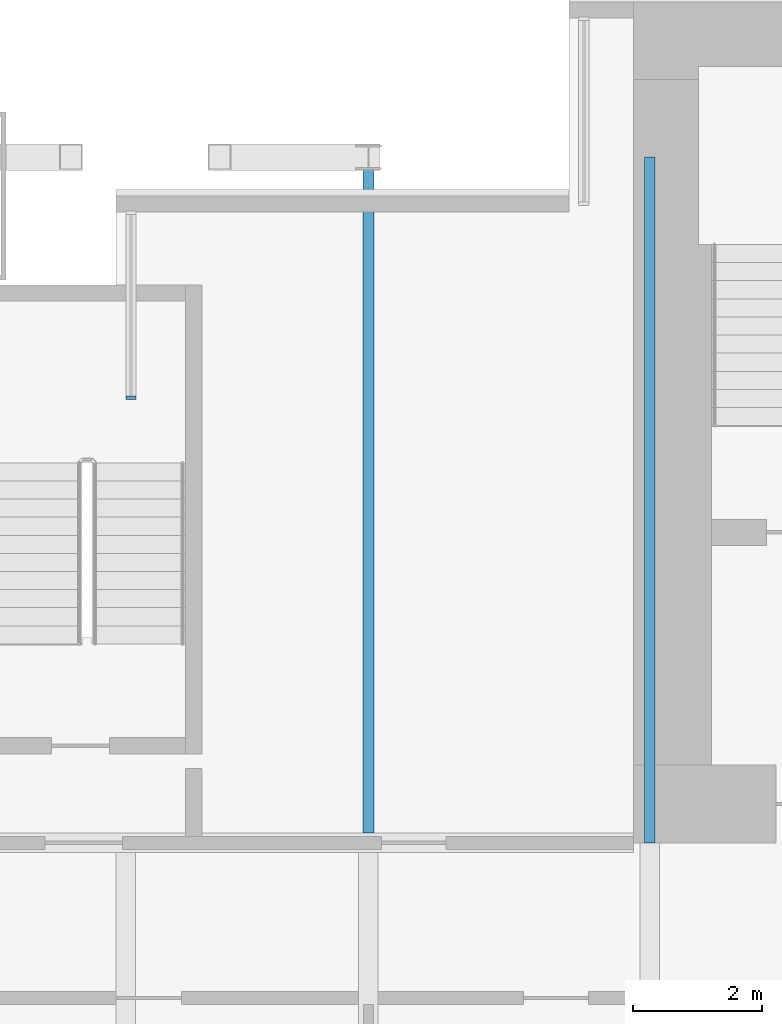
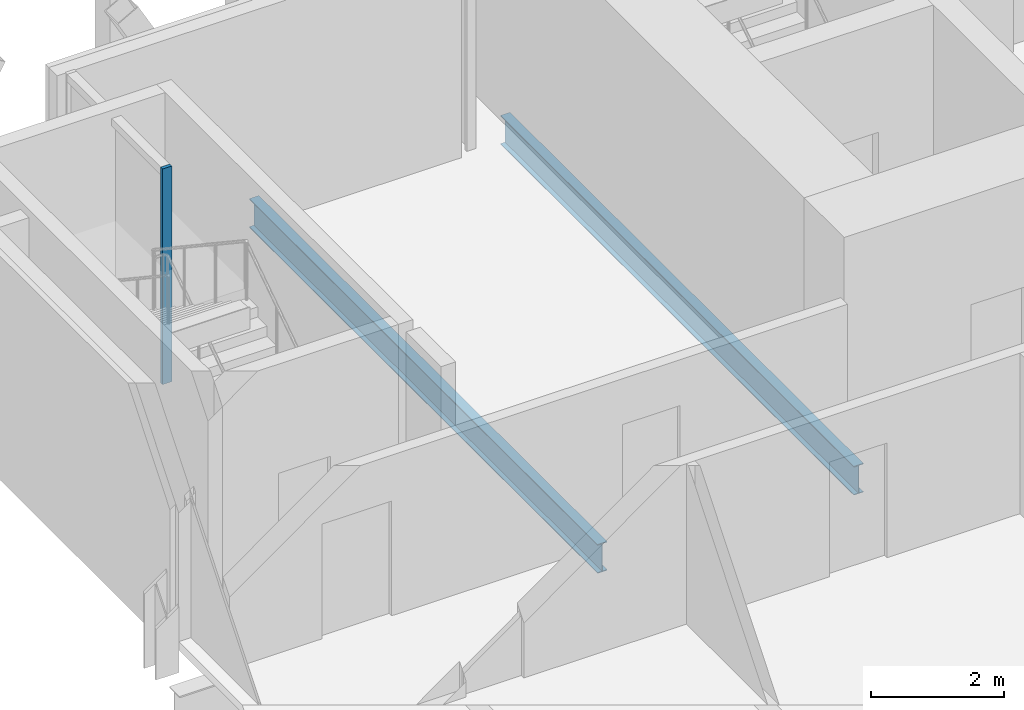
# One storey, part 11 of 33: 2 beams, 1 member, 1 element without a shape of its own.
"""IFC4 building model written with IfcOpenShell, lengths in metres."""

import ifcopenshell
import ifcopenshell.guid

model = None  # the IFC model being written
_history = None  # IfcOwnerHistory: only IFC2X3 demands one
_inside = {}  # id of a spatial element -> (the spatial element, [elements in it])
_under = {}  # id of a project, library or spatial element -> (it, [spatial elements below it])
_declared = {}  # id of a project -> (the project, [libraries it declares])
_typed = {}  # id of a type object -> (the type object, [elements of that type])
_made_of = {}  # id of a material, layer set ... -> (it, [elements and type objects made of it])


def new_model(schema):
    """Start an empty IFC model of exactly this schema.

    Asked for "IFC4X3", IfcOpenShell would pick the latest addendum, in which some entities
    have other attributes; the version numbers below select the first issue.
    IFC2X3 requires an IfcOwnerHistory on every rooted entity: one is made here for all.
    """
    global model, _history
    if schema == "IFC4X3":
        model = ifcopenshell.file(schema_version=(4, 3, 0, 0))
    else:
        model = ifcopenshell.file(schema=schema)
    _inside.clear()
    _under.clear()
    _declared.clear()
    _typed.clear()
    _made_of.clear()
    _history = None
    if model.schema == "IFC2X3":
        org = make("IfcOrganization", Name="unknown")
        user = make(
            "IfcPersonAndOrganization",
            ThePerson=make("IfcPerson", FamilyName="unknown"),
            TheOrganization=org,
        )
        app = make(
            "IfcApplication",
            ApplicationDeveloper=org,
            Version="unknown",
            ApplicationFullName="unknown",
            ApplicationIdentifier="unknown",
        )
        _history = make(
            "IfcOwnerHistory",
            OwningUser=user,
            OwningApplication=app,
            ChangeAction="ADDED",
            CreationDate=0,
        )
    return model


def make(cls, **values):
    """One entity of the class cls with the attributes given. An attribute that is None is left unset."""
    return model.create_entity(
        cls, **{name: value for name, value in values.items() if value is not None}
    )


def rooted(cls, **values):
    """An entity with a GlobalId (a new one), such as an element, a storey or a relation."""
    return make(cls, GlobalId=ifcopenshell.guid.new(), OwnerHistory=_history, **values)


def si_unit(unit_type, name, prefix=None):
    """IfcSIUnit, for example si_unit("LENGTHUNIT", "METRE", prefix="MILLI")."""
    return make("IfcSIUnit", UnitType=unit_type, Prefix=prefix, Name=name)


def assignment(units):
    """IfcUnitAssignment: the units of a project."""
    return None if units is None else make("IfcUnitAssignment", Units=units)


def point(xyz):
    """IfcCartesianPoint."""
    return None if xyz is None else make("IfcCartesianPoint", Coordinates=xyz)


def direction(xyz):
    """IfcDirection."""
    return None if xyz is None else make("IfcDirection", DirectionRatios=xyz)


def frame(location, z_axis=None, x_axis=None):
    """IfcAxis2Placement3D, a coordinate frame: its origin and axes. An axis left out is left unset."""
    return make(
        "IfcAxis2Placement3D",
        Location=point(location),
        Axis=direction(z_axis),
        RefDirection=direction(x_axis),
    )


def frame_2d(location, x_axis=None):
    """IfcAxis2Placement2D, a coordinate frame in the plane: its origin and x axis."""
    return make(
        "IfcAxis2Placement2D", Location=point(location), RefDirection=direction(x_axis)
    )


def origin():
    """The frame at (0, 0, 0) with its axes left unset."""
    return frame((0.0, 0.0, 0.0))


def origin_2d():
    """The frame at (0, 0) in the plane with its x axis left unset."""
    return frame_2d((0.0, 0.0))


def place(relative_to, where):
    """IfcLocalPlacement: puts the frame where relative to a parent placement (None: the world)."""
    return make(
        "IfcLocalPlacement", PlacementRelTo=relative_to, RelativePlacement=where
    )


def context(
    kind, dimensions, precision=None, world=None, true_north=None, identifier=None
):
    """IfcGeometricRepresentationContext, for example the 3D "Model" context."""
    return make(
        "IfcGeometricRepresentationContext",
        ContextIdentifier=identifier,
        ContextType=kind,
        CoordinateSpaceDimension=dimensions,
        Precision=precision,
        WorldCoordinateSystem=world,
        TrueNorth=true_north,
    )


def subcontext(parent, identifier, kind, view, scale=None):
    """IfcGeometricRepresentationSubContext, for example "Body" below "Model"."""
    return make(
        "IfcGeometricRepresentationSubContext",
        ContextIdentifier=identifier,
        ContextType=kind,
        ParentContext=parent,
        TargetScale=scale,
        TargetView=view,
    )


def project(units=None, contexts=None):
    """IfcProject with its units and contexts."""
    return rooted(
        "IfcProject",
        Name="project",
        RepresentationContexts=contexts,
        UnitsInContext=assignment(units),
    )


def spatial(cls, under=None, at=None, **own):
    """A site, building, storey or space (cls), placed at a placement, below another one or the project."""
    s = rooted(cls, ObjectPlacement=at, **own)
    if under is not None:
        _under.setdefault(under.id(), (under, []))[1].append(s)
    return s


def profile(cls, at=None, kind="AREA", **sizes):
    """A parametric profile (cls). Its sizes go by their IFC names, for example OverallWidth=200.0."""
    return make(cls, ProfileType=kind, Position=at, **sizes)


def rectangle(**sizes):
    """IfcRectangleProfileDef."""
    return profile("IfcRectangleProfileDef", **sizes)


def i_section(**sizes):
    """IfcIShapeProfileDef."""
    return profile("IfcIShapeProfileDef", **sizes)


def extrude(swept, where, along, depth):
    """IfcExtrudedAreaSolid: the profile swept, set in the frame where, extruded along a direction by depth."""
    return make(
        "IfcExtrudedAreaSolid",
        SweptArea=swept,
        Position=where,
        ExtrudedDirection=direction(along),
        Depth=depth,
    )


def shape(context_of_items, identifier, shape_type, items):
    """IfcShapeRepresentation: the items that make up one representation, for example the "Body"."""
    return make(
        "IfcShapeRepresentation",
        ContextOfItems=context_of_items,
        RepresentationIdentifier=identifier,
        RepresentationType=shape_type,
        Items=items,
    )


def material(Name=None, Category=None):
    """IfcMaterial."""
    return make("IfcMaterial", Name=Name, Category=Category)


def material_profile(
    of_material, cross_section, Name=None, Category=None, Priority=None
):
    """IfcMaterialProfile: a cross section and its material."""
    return make(
        "IfcMaterialProfile",
        Name=Name,
        Material=of_material,
        Profile=cross_section,
        Priority=Priority,
        Category=Category,
    )


def profile_set(profiles, Name=None, composite=None):
    """IfcMaterialProfileSet."""
    return make(
        "IfcMaterialProfileSet",
        Name=Name,
        MaterialProfiles=profiles,
        CompositeProfile=composite,
    )


def made_of(thing, what):
    """Note that an element or type object is made of a material, layer set ...; save() writes the relation."""
    if what is not None:
        _made_of.setdefault(what.id(), (what, []))[1].append(thing)
    return thing


def type_object(cls, material=None, **own):
    """A type object (cls), such as IfcWallType, which elements share."""
    return made_of(rooted(cls, **own), material)


def element(
    cls,
    number,
    at=None,
    inside=None,
    cuts=None,
    type_object=None,
    material=None,
    context=None,
    identifier="Body",
    shape_type=None,
    held_by="IfcProductDefinitionShape",
    body=None,
    shapes=None,
    **own,
):
    """One element of the class cls, such as IfcWall. Its Tag is "e" and its number.

    at: its placement. inside: the storey or other place that contains it. cuts: it is an
    opening in that element (IfcRelVoidsElement). A single representation is given by context,
    identifier, shape_type and body (its items); several are given by shapes. held_by: the class
    of the entity that holds the representations. save() writes the other relations.
    """
    e = rooted(cls, Tag="e%d" % number, ObjectPlacement=at, **own)
    if body is not None:
        shapes = [shape(context, identifier, shape_type, body)]
    if shapes is not None:
        e.Representation = make(held_by, Representations=shapes)
    if inside is not None:
        _inside.setdefault(inside.id(), (inside, []))[1].append(e)
    if cuts is not None:
        rooted(
            "IfcRelVoidsElement", RelatingBuildingElement=cuts, RelatedOpeningElement=e
        )
    if type_object is not None:
        _typed.setdefault(type_object.id(), (type_object, []))[1].append(e)
    return made_of(e, material)


def aggregate(whole, parts):
    """IfcRelAggregates: a whole, such as a stair, and the parts it consists of."""
    return rooted("IfcRelAggregates", RelatingObject=whole, RelatedObjects=parts)


def save(model, path):
    """Write the relations noted so far, then the file.

    IfcRelAggregates (storeys below a building ...), IfcRelContainedInSpatialStructure (elements
    in a storey), IfcRelDefinesByType, IfcRelAssociatesMaterial and IfcRelDeclares: one each for
    every whole, place, type object, material and project.
    """
    for whole, parts in _under.values():
        aggregate(whole, parts)
    for where, things in _inside.values():
        rooted(
            "IfcRelContainedInSpatialStructure",
            RelatedElements=things,
            RelatingStructure=where,
        )
    for kind, things in _typed.values():
        rooted("IfcRelDefinesByType", RelatedObjects=things, RelatingType=kind)
    for what, things in _made_of.values():
        rooted("IfcRelAssociatesMaterial", RelatedObjects=things, RelatingMaterial=what)
    for by, libraries in _declared.values():
        rooted("IfcRelDeclares", RelatingContext=by, RelatedDefinitions=libraries)
    model.write(path)


model = new_model("IFC4")

# Units and contexts
model_context = context("Model", 3, precision=1e-05, world=origin(), true_north=direction((0.0, 1.0)))
body_context = subcontext(model_context, "Body", "Model", "MODEL_VIEW")
ifc_project = project(units=[si_unit("LENGTHUNIT", "METRE"), si_unit("AREAUNIT", "SQUARE_METRE"), si_unit("VOLUMEUNIT", "CUBIC_METRE"), si_unit("PLANEANGLEUNIT", "RADIAN"), si_unit("MASSUNIT", "GRAM", prefix="KILO")], contexts=[model_context])

# Site, building, storey
site_placement = place(None, origin())
site = spatial("IfcSite", under=ifc_project, at=site_placement, CompositionType="ELEMENT")
building_placement = place(site_placement, origin())
building = spatial("IfcBuilding", under=site, at=building_placement, Name="Bicima Exchange Tower", CompositionType="ELEMENT")
storey_placement = place(building_placement, frame((0.0, 0.0, 140.39990234375)))
storey = spatial("IfcBuildingStorey", under=building, at=storey_placement, Name="L30", CompositionType="ELEMENT", Elevation=140.39990234375)

# Beams
ifc_material_1 = material(Name="Steel ASTM A992 Gr 50", Category="steel")
ifc_material_profile_1 = material_profile(ifc_material_1, i_section(OverallWidth=0.165771484375, OverallDepth=0.5283203125, WebThickness=0.009765625, FlangeThickness=0.013671875, at=origin_2d()))
ifc_profile_set_1 = profile_set([ifc_material_profile_1], Name="Steel ASTM A992 Gr 50")
beam_type = type_object("IfcBeamType", Name="Floor beam W21x50", PredefinedType="JOIST", material=ifc_profile_set_1)
beam_1_placement = place(storey_placement, frame((-26.10009765625, -2.39990234375, -0.4140625), z_axis=(0.0, -1.0, 0.0), x_axis=(1.0, 0.0, 0.0)))
element("IfcBeam", 1, at=beam_1_placement, inside=storey, type_object=beam_type, Name="Floor beam", PredefinedType="JOIST", context=body_context, shape_type="SweptSolid", body=[
    extrude(i_section(OverallWidth=0.165771484375, OverallDepth=0.5283203125, WebThickness=0.009765625, FlangeThickness=0.013671875, at=origin_2d()), origin(), (0.0, 0.0, 1.0), 10.44775390625),
])
beam_2_placement = place(storey_placement, frame((-21.75, -2.39990234375, -0.4140625), z_axis=(0.0, -1.0, 0.0), x_axis=(1.0, 0.0, 0.0)))
element("IfcBeam", 2, at=beam_2_placement, inside=storey, type_object=beam_type, Name="Floor beam", PredefinedType="JOIST", context=body_context, shape_type="SweptSolid", body=[
    extrude(i_section(OverallWidth=0.165771484375, OverallDepth=0.5283203125, WebThickness=0.009765625, FlangeThickness=0.013671875, at=origin_2d()), origin(), (0.0, 0.0, 1.0), 10.60009765625),
])

# Curtain wall, member
ifc_material_2 = material(Name="Anodised bronze aluminium", Category="aluminium")
curtain_wall_type = type_object("IfcCurtainWallType", Name="Front glass wall", PredefinedType="NOTDEFINED", material=ifc_material_2)
curtain_wall_placement = place(storey_placement, origin())
curtain_wall = element("IfcCurtainWall", 3, at=curtain_wall_placement, inside=storey, type_object=curtain_wall_type, Name="Front glass wall L30 run 5", PredefinedType="NOTDEFINED")
ifc_material_profile_2 = material_profile(ifc_material_2, rectangle(XDim=0.159912109375, YDim=0.06005859375, at=origin_2d()))
ifc_profile_set_2 = profile_set([ifc_material_profile_2], Name="Anodised bronze aluminium")
member_type = type_object("IfcMemberType", Name="Front glass wall mullion 60 x 160", PredefinedType="MULLION", material=ifc_profile_set_2)
member_placement = place(storey_placement, frame((-29.77001953125, -6.1201171875, 0.0), z_axis=(0.0, 0.0, 1.0), x_axis=(1.0, 0.0, 0.0)))
member = element("IfcMember", 4, at=member_placement, type_object=member_type, Name="Front glass wall mullion 2", PredefinedType="MULLION", context=body_context, shape_type="SweptSolid", body=[
    extrude(rectangle(XDim=0.159912109375, YDim=0.06005859375, at=origin_2d()), origin(), (0.0, 0.0, 1.0), 3.9501953125),
])
aggregate(curtain_wall, [member])

save(model, "model.ifc")
